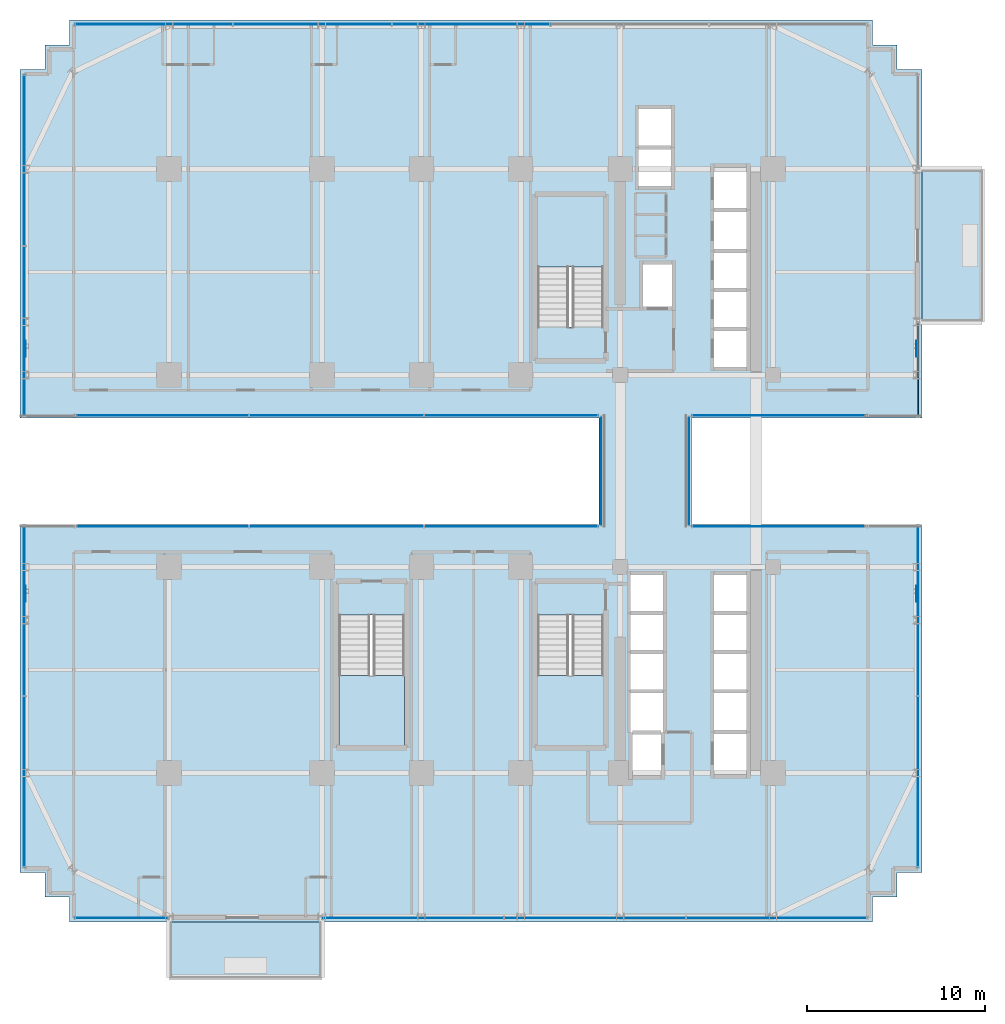
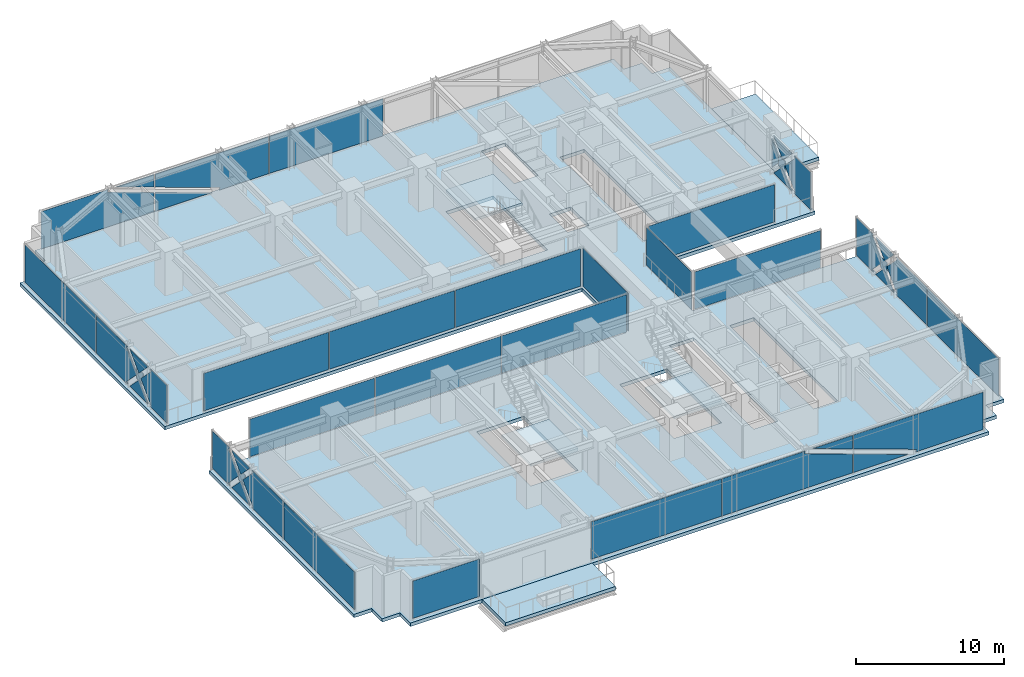
# One storey, part 28 of 35: 28 plates, 6 slabs, 16 elements without a shape of their own.
"""IFC4 building model written with IfcOpenShell, lengths in metres."""

import ifcopenshell
import ifcopenshell.guid

model = None  # the IFC model being written
_history = None  # IfcOwnerHistory: only IFC2X3 demands one
_inside = {}  # id of a spatial element -> (the spatial element, [elements in it])
_under = {}  # id of a project, library or spatial element -> (it, [spatial elements below it])
_declared = {}  # id of a project -> (the project, [libraries it declares])
_typed = {}  # id of a type object -> (the type object, [elements of that type])
_made_of = {}  # id of a material, layer set ... -> (it, [elements and type objects made of it])


def new_model(schema):
    """Start an empty IFC model of exactly this schema.

    Asked for "IFC4X3", IfcOpenShell would pick the latest addendum, in which some entities
    have other attributes; the version numbers below select the first issue.
    IFC2X3 requires an IfcOwnerHistory on every rooted entity: one is made here for all.
    """
    global model, _history
    if schema == "IFC4X3":
        model = ifcopenshell.file(schema_version=(4, 3, 0, 0))
    else:
        model = ifcopenshell.file(schema=schema)
    _inside.clear()
    _under.clear()
    _declared.clear()
    _typed.clear()
    _made_of.clear()
    _history = None
    if model.schema == "IFC2X3":
        org = make("IfcOrganization", Name="unknown")
        user = make(
            "IfcPersonAndOrganization",
            ThePerson=make("IfcPerson", FamilyName="unknown"),
            TheOrganization=org,
        )
        app = make(
            "IfcApplication",
            ApplicationDeveloper=org,
            Version="unknown",
            ApplicationFullName="unknown",
            ApplicationIdentifier="unknown",
        )
        _history = make(
            "IfcOwnerHistory",
            OwningUser=user,
            OwningApplication=app,
            ChangeAction="ADDED",
            CreationDate=0,
        )
    return model


def make(cls, **values):
    """One entity of the class cls with the attributes given. An attribute that is None is left unset."""
    return model.create_entity(
        cls, **{name: value for name, value in values.items() if value is not None}
    )


def rooted(cls, **values):
    """An entity with a GlobalId (a new one), such as an element, a storey or a relation."""
    return make(cls, GlobalId=ifcopenshell.guid.new(), OwnerHistory=_history, **values)


def si_unit(unit_type, name, prefix=None):
    """IfcSIUnit, for example si_unit("LENGTHUNIT", "METRE", prefix="MILLI")."""
    return make("IfcSIUnit", UnitType=unit_type, Prefix=prefix, Name=name)


def assignment(units):
    """IfcUnitAssignment: the units of a project."""
    return None if units is None else make("IfcUnitAssignment", Units=units)


def point(xyz):
    """IfcCartesianPoint."""
    return None if xyz is None else make("IfcCartesianPoint", Coordinates=xyz)


def direction(xyz):
    """IfcDirection."""
    return None if xyz is None else make("IfcDirection", DirectionRatios=xyz)


def frame(location, z_axis=None, x_axis=None):
    """IfcAxis2Placement3D, a coordinate frame: its origin and axes. An axis left out is left unset."""
    return make(
        "IfcAxis2Placement3D",
        Location=point(location),
        Axis=direction(z_axis),
        RefDirection=direction(x_axis),
    )


def frame_2d(location, x_axis=None):
    """IfcAxis2Placement2D, a coordinate frame in the plane: its origin and x axis."""
    return make(
        "IfcAxis2Placement2D", Location=point(location), RefDirection=direction(x_axis)
    )


def origin():
    """The frame at (0, 0, 0) with its axes left unset."""
    return frame((0.0, 0.0, 0.0))


def origin_2d():
    """The frame at (0, 0) in the plane with its x axis left unset."""
    return frame_2d((0.0, 0.0))


def place(relative_to, where):
    """IfcLocalPlacement: puts the frame where relative to a parent placement (None: the world)."""
    return make(
        "IfcLocalPlacement", PlacementRelTo=relative_to, RelativePlacement=where
    )


def context(
    kind, dimensions, precision=None, world=None, true_north=None, identifier=None
):
    """IfcGeometricRepresentationContext, for example the 3D "Model" context."""
    return make(
        "IfcGeometricRepresentationContext",
        ContextIdentifier=identifier,
        ContextType=kind,
        CoordinateSpaceDimension=dimensions,
        Precision=precision,
        WorldCoordinateSystem=world,
        TrueNorth=true_north,
    )


def subcontext(parent, identifier, kind, view, scale=None):
    """IfcGeometricRepresentationSubContext, for example "Body" below "Model"."""
    return make(
        "IfcGeometricRepresentationSubContext",
        ContextIdentifier=identifier,
        ContextType=kind,
        ParentContext=parent,
        TargetScale=scale,
        TargetView=view,
    )


def project(units=None, contexts=None):
    """IfcProject with its units and contexts."""
    return rooted(
        "IfcProject",
        Name="project",
        RepresentationContexts=contexts,
        UnitsInContext=assignment(units),
    )


def spatial(cls, under=None, at=None, **own):
    """A site, building, storey or space (cls), placed at a placement, below another one or the project."""
    s = rooted(cls, ObjectPlacement=at, **own)
    if under is not None:
        _under.setdefault(under.id(), (under, []))[1].append(s)
    return s


def polyline(points):
    """IfcPolyline through the points."""
    return make("IfcPolyline", Points=[point(p) for p in points])


def profile(cls, at=None, kind="AREA", **sizes):
    """A parametric profile (cls). Its sizes go by their IFC names, for example OverallWidth=200.0."""
    return make(cls, ProfileType=kind, Position=at, **sizes)


def rectangle(**sizes):
    """IfcRectangleProfileDef."""
    return profile("IfcRectangleProfileDef", **sizes)


def outline(outer, holes=None, kind="AREA"):
    """IfcArbitraryClosedProfileDef: a profile drawn as a closed curve; with holes, ...WithVoids."""
    if holes is None:
        return make("IfcArbitraryClosedProfileDef", ProfileType=kind, OuterCurve=outer)
    return make(
        "IfcArbitraryProfileDefWithVoids",
        ProfileType=kind,
        OuterCurve=outer,
        InnerCurves=holes,
    )


def extrude(swept, where, along, depth):
    """IfcExtrudedAreaSolid: the profile swept, set in the frame where, extruded along a direction by depth."""
    return make(
        "IfcExtrudedAreaSolid",
        SweptArea=swept,
        Position=where,
        ExtrudedDirection=direction(along),
        Depth=depth,
    )


def shape(context_of_items, identifier, shape_type, items):
    """IfcShapeRepresentation: the items that make up one representation, for example the "Body"."""
    return make(
        "IfcShapeRepresentation",
        ContextOfItems=context_of_items,
        RepresentationIdentifier=identifier,
        RepresentationType=shape_type,
        Items=items,
    )


def source(mapping_origin, context_of_items, identifier, shape_type, items):
    """IfcRepresentationMap: a shape defined once, which mapped items show again and again."""
    return make(
        "IfcRepresentationMap",
        MappingOrigin=mapping_origin,
        MappedRepresentation=shape(context_of_items, identifier, shape_type, items),
    )


def transform(
    local_origin,
    x_axis=None,
    y_axis=None,
    z_axis=None,
    scale=None,
    scale2=None,
    scale3=None,
    uniform=True,
):
    """IfcCartesianTransformationOperator3D, or its non-uniform kind. x_axis, y_axis, z_axis: its Axis1, 2, 3."""
    if uniform:
        return make(
            "IfcCartesianTransformationOperator3D",
            Axis1=direction(x_axis),
            Axis2=direction(y_axis),
            LocalOrigin=point(local_origin),
            Scale=scale,
            Axis3=direction(z_axis),
        )
    return make(
        "IfcCartesianTransformationOperator3DnonUniform",
        Axis1=direction(x_axis),
        Axis2=direction(y_axis),
        LocalOrigin=point(local_origin),
        Scale=scale,
        Axis3=direction(z_axis),
        Scale2=scale2,
        Scale3=scale3,
    )


def mapped(mapping_source, mapping_target):
    """IfcMappedItem: shows the shape of a source again, moved by a transform."""
    return make(
        "IfcMappedItem", MappingSource=mapping_source, MappingTarget=mapping_target
    )


def material(Name=None, Category=None):
    """IfcMaterial."""
    return make("IfcMaterial", Name=Name, Category=Category)


def layer(
    of_material, thickness, ventilated=None, Name=None, Category=None, Priority=None
):
    """IfcMaterialLayer: one layer of a wall or slab, of a material (None: an air gap)."""
    return make(
        "IfcMaterialLayer",
        Material=of_material,
        LayerThickness=thickness,
        IsVentilated=ventilated,
        Name=Name,
        Category=Category,
        Priority=Priority,
    )


def layer_set(layers, Name=None):
    """IfcMaterialLayerSet."""
    return make("IfcMaterialLayerSet", MaterialLayers=layers, LayerSetName=Name)


def made_of(thing, what):
    """Note that an element or type object is made of a material, layer set ...; save() writes the relation."""
    if what is not None:
        _made_of.setdefault(what.id(), (what, []))[1].append(thing)
    return thing


def type_object(cls, material=None, **own):
    """A type object (cls), such as IfcWallType, which elements share."""
    return made_of(rooted(cls, **own), material)


def element(
    cls,
    number,
    at=None,
    inside=None,
    cuts=None,
    type_object=None,
    material=None,
    context=None,
    identifier="Body",
    shape_type=None,
    held_by="IfcProductDefinitionShape",
    body=None,
    shapes=None,
    **own,
):
    """One element of the class cls, such as IfcWall. Its Tag is "e" and its number.

    at: its placement. inside: the storey or other place that contains it. cuts: it is an
    opening in that element (IfcRelVoidsElement). A single representation is given by context,
    identifier, shape_type and body (its items); several are given by shapes. held_by: the class
    of the entity that holds the representations. save() writes the other relations.
    """
    e = rooted(cls, Tag="e%d" % number, ObjectPlacement=at, **own)
    if body is not None:
        shapes = [shape(context, identifier, shape_type, body)]
    if shapes is not None:
        e.Representation = make(held_by, Representations=shapes)
    if inside is not None:
        _inside.setdefault(inside.id(), (inside, []))[1].append(e)
    if cuts is not None:
        rooted(
            "IfcRelVoidsElement", RelatingBuildingElement=cuts, RelatedOpeningElement=e
        )
    if type_object is not None:
        _typed.setdefault(type_object.id(), (type_object, []))[1].append(e)
    return made_of(e, material)


def aggregate(whole, parts):
    """IfcRelAggregates: a whole, such as a stair, and the parts it consists of."""
    return rooted("IfcRelAggregates", RelatingObject=whole, RelatedObjects=parts)


def save(model, path):
    """Write the relations noted so far, then the file.

    IfcRelAggregates (storeys below a building ...), IfcRelContainedInSpatialStructure (elements
    in a storey), IfcRelDefinesByType, IfcRelAssociatesMaterial and IfcRelDeclares: one each for
    every whole, place, type object, material and project.
    """
    for whole, parts in _under.values():
        aggregate(whole, parts)
    for where, things in _inside.values():
        rooted(
            "IfcRelContainedInSpatialStructure",
            RelatedElements=things,
            RelatingStructure=where,
        )
    for kind, things in _typed.values():
        rooted("IfcRelDefinesByType", RelatedObjects=things, RelatingType=kind)
    for what, things in _made_of.values():
        rooted("IfcRelAssociatesMaterial", RelatedObjects=things, RelatingMaterial=what)
    for by, libraries in _declared.values():
        rooted("IfcRelDeclares", RelatingContext=by, RelatedDefinitions=libraries)
    model.write(path)


model = new_model("IFC4")

# Units and contexts
model_context = context("Model", 3, precision=1e-05, world=origin(), true_north=direction((0.0, 1.0)))
body_context = subcontext(model_context, "Body", "Model", "MODEL_VIEW")
ifc_project = project(units=[si_unit("LENGTHUNIT", "METRE"), si_unit("AREAUNIT", "SQUARE_METRE"), si_unit("VOLUMEUNIT", "CUBIC_METRE"), si_unit("PLANEANGLEUNIT", "RADIAN"), si_unit("MASSUNIT", "GRAM", prefix="KILO")], contexts=[model_context])

# Site, building, storey
site_placement = place(None, origin())
site = spatial("IfcSite", under=ifc_project, at=site_placement, CompositionType="ELEMENT")
building_placement = place(site_placement, origin())
building = spatial("IfcBuilding", under=site, at=building_placement, Name="Nahalor Promenade Grand Hotel", CompositionType="ELEMENT")
storey_placement = place(building_placement, frame((0.0, 0.0, 43.35009765625)))
storey = spatial("IfcBuildingStorey", under=building, at=storey_placement, Name="L09", CompositionType="ELEMENT", Elevation=43.35009765625)

# Curtain wall, plates
ifc_material_1 = material(Name="Anodised Bronze Aluminium EN AW-6063 T6", Category="aluminium")
curtain_wall_type_1 = type_object("IfcCurtainWallType", Name="CW3 Elliptical-Void Collar Unitised Curtain Wall", PredefinedType="USERDEFINED", material=ifc_material_1)
curtain_wall_1_placement = place(storey_placement, origin())
curtain_wall_1 = element("IfcCurtainWall", 1, at=curtain_wall_1_placement, inside=storey, type_object=curtain_wall_type_1, Name="L09 Curtain Wall CW-L09-S-3", ObjectType="UNITISED_CURTAIN_WALL", PredefinedType="USERDEFINED")
ifc_material_2 = material(Name="Low-E Laminated Solar Glass", Category="glass")
ifc_layer_1 = layer(ifc_material_2, 0.030029296875)
ifc_layer_set_1 = layer_set([ifc_layer_1], Name="Low-E Laminated Solar Glass")
plate_type_1 = type_object("IfcPlateType", Name="CWP3 High-Wind Laminated Bronze IGU 30mm", PredefinedType="CURTAIN_PANEL", material=ifc_layer_set_1)
plate_1_placement = place(storey_placement, frame((6.97998046875, -25.159912109375, 0.1396484375), z_axis=(0.0, 0.0, 1.0), x_axis=(1.0, 0.0, 0.0)))
plate_1 = element("IfcPlate", 2, at=plate_1_placement, type_object=plate_type_1, Name="CW-L09-S-3 Glazing Panel 1-0", PredefinedType="CURTAIN_PANEL", context=body_context, shape_type="SweptSolid", body=[
    extrude(outline(polyline([(-5.091552734375, 0.0), (5.091552734375, 0.0), (5.091552734375, 1.556884765625), (1.3291015625, 2.900146484375), (1.39697265625, 3.090087890625), (-5.091552734375, 3.090087890625), (-5.091552734375, 0.0)])), frame((0.0, 0.01513671875, 0.0), z_axis=(0.0, -1.0, 0.0), x_axis=(1.0, 0.0, 0.0)), (0.0, 0.0, 1.0), 0.030029296875),
    extrude(outline(polyline([(5.091552734375, 1.981689453125), (5.091552734375, 3.090087890625), (1.98681640625, 3.090087890625), (5.091552734375, 1.981689453125)])), frame((0.0, 0.01513671875, 0.0), z_axis=(0.0, -1.0, 0.0), x_axis=(1.0, 0.0, 0.0)), (0.0, 0.0, 1.0), 0.030029296875),
])
plate_2_placement = place(storey_placement, frame((17.2158203125, -25.159912109375, 0.1396484375), z_axis=(0.0, 0.0, 1.0), x_axis=(1.0, 0.0, 0.0)))
plate_2 = element("IfcPlate", 3, at=plate_2_placement, type_object=plate_type_1, Name="CW-L09-S-3 Glazing Panel 2-0", PredefinedType="CURTAIN_PANEL", context=body_context, shape_type="SweptSolid", body=[
    extrude(outline(polyline([(5.07421875, 3.090087890625), (-5.07421875, 3.090087890625), (-5.07421875, 1.956787109375), (-0.125, 0.18994140625), (-0.19287109375, 0.0), (5.07421875, 0.0), (5.07421875, 3.090087890625)])), frame((0.0, 0.01513671875, 0.0), z_axis=(0.0, -1.0, 0.0), x_axis=(1.0, 0.0, 0.0)), (0.0, 0.0, 1.0), 0.030029296875),
    extrude(outline(polyline([(-5.07421875, 1.531982421875), (-5.07421875, 0.0), (-0.78271484375, 0.0), (-5.07421875, 1.531982421875)])), frame((0.0, 0.01513671875, 0.0), z_axis=(0.0, -1.0, 0.0), x_axis=(1.0, 0.0, 0.0)), (0.0, 0.0, 1.0), 0.030029296875),
])

curtain_wall_2_placement = place(storey_placement, origin())
curtain_wall_2 = element("IfcCurtainWall", 4, at=curtain_wall_2_placement, inside=storey, type_object=curtain_wall_type_1, Name="L09 Curtain Wall CW-L09-N-1", ObjectType="UNITISED_CURTAIN_WALL", PredefinedType="USERDEFINED")
plate_3_placement = place(storey_placement, frame((-17.87060546875, 25.159912109375, 0.1396484375), z_axis=(0.0, 0.0, 1.0), x_axis=(1.0, 0.0, 0.0)))
plate_3 = element("IfcPlate", 5, at=plate_3_placement, type_object=plate_type_1, Name="CW-L09-N-1 Glazing Panel 0-0", PredefinedType="CURTAIN_PANEL", context=body_context, shape_type="SweptSolid", body=[
    extrude(outline(polyline([(-4.41943359375, 0.0), (4.41943359375, 0.0), (4.41943359375, 1.600830078125), (0.77978515625, 2.900146484375), (0.847412109375, 3.090087890625), (-4.41943359375, 3.090087890625), (-4.41943359375, 0.0)])), frame((0.0, 0.01513671875, 0.0), z_axis=(0.0, -1.0, 0.0), x_axis=(1.0, 0.0, 0.0)), (0.0, 0.0, 1.0), 0.030029296875),
    extrude(outline(polyline([(4.41943359375, 2.025390625), (4.41943359375, 3.090087890625), (1.437255859375, 3.090087890625), (4.41943359375, 2.025390625)])), frame((0.0, 0.01513671875, 0.0), z_axis=(0.0, -1.0, 0.0), x_axis=(1.0, 0.0, 0.0)), (0.0, 0.0, 1.0), 0.030029296875),
])
plate_4_placement = place(storey_placement, frame((-8.944091796875, 25.159912109375, 0.1396484375), z_axis=(0.0, 0.0, 1.0), x_axis=(1.0, 0.0, 0.0)))
plate_4 = element("IfcPlate", 6, at=plate_4_placement, type_object=plate_type_1, Name="CW-L09-N-1 Glazing Panel 1-0", PredefinedType="CURTAIN_PANEL", context=body_context, shape_type="SweptSolid", body=[
    extrude(outline(polyline([(4.43701171875, 3.090087890625), (-4.43701171875, 3.090087890625), (-4.43701171875, 2.00048828125), (0.634765625, 0.18994140625), (0.56689453125, 0.0), (4.43701171875, 0.0), (4.43701171875, 3.090087890625)])), frame((0.0, 0.01513671875, 0.0), z_axis=(0.0, -1.0, 0.0), x_axis=(1.0, 0.0, 0.0)), (0.0, 0.0, 1.0), 0.030029296875),
    extrude(outline(polyline([(-4.43701171875, 1.57568359375), (-4.43701171875, 0.0), (-0.02294921875, 0.0), (-4.43701171875, 1.57568359375)])), frame((0.0, 0.01513671875, 0.0), z_axis=(0.0, -1.0, 0.0), x_axis=(1.0, 0.0, 0.0)), (0.0, 0.0, 1.0), 0.030029296875),
])

# Curtain wall, plate
curtain_wall_3_placement = place(storey_placement, origin())
curtain_wall_3 = element("IfcCurtainWall", 7, at=curtain_wall_3_placement, inside=storey, type_object=curtain_wall_type_1, Name="L09 Curtain Wall CW-L09-W-1", ObjectType="UNITISED_CURTAIN_WALL", PredefinedType="USERDEFINED")
plate_5_placement = place(storey_placement, frame((-25.159912109375, -7.856689453125, 0.1396484375), z_axis=(0.0, 0.0, 1.0), x_axis=(0.0, 1.0, 0.0)))
plate_5 = element("IfcPlate", 8, at=plate_5_placement, type_object=plate_type_1, Name="CW-L09-W-1 Glazing Panel 1-0", PredefinedType="CURTAIN_PANEL", context=body_context, shape_type="SweptSolid", body=[
    extrude(outline(polyline([(-4.787841796875, 3.090087890625), (-4.787841796875, 0.0), (-0.56884765625, 0.0), (-0.703857421875, 0.1318359375), (0.67724609375, 1.544921875), (-0.703857421875, 2.9580078125), (-0.56884765625, 3.090087890625), (-4.787841796875, 3.090087890625)])), frame((0.0, 0.01513671875, 0.0), z_axis=(0.0, -1.0, 0.0), x_axis=(1.0, 0.0, 0.0)), (0.0, 0.0, 1.0), 0.030029296875),
    extrude(outline(polyline([(0.956787109375, 1.2587890625), (-0.2734375, 0.0), (2.186767578125, 0.0), (0.956787109375, 1.2587890625)])), frame((0.0, 0.01513671875, 0.0), z_axis=(0.0, -1.0, 0.0), x_axis=(1.0, 0.0, 0.0)), (0.0, 0.0, 1.0), 0.030029296875),
    extrude(outline(polyline([(0.956787109375, 1.831298828125), (2.186767578125, 3.090087890625), (-0.2734375, 3.090087890625), (0.956787109375, 1.831298828125)])), frame((0.0, 0.01513671875, 0.0), z_axis=(0.0, -1.0, 0.0), x_axis=(1.0, 0.0, 0.0)), (0.0, 0.0, 1.0), 0.030029296875),
    extrude(outline(polyline([(4.787841796875, 0.0), (4.787841796875, 3.090087890625), (2.482177734375, 3.090087890625), (2.6171875, 2.9580078125), (1.236328125, 1.544921875), (2.6171875, 0.1318359375), (2.482177734375, 0.0), (4.787841796875, 0.0)])), frame((0.0, 0.01513671875, 0.0), z_axis=(0.0, -1.0, 0.0), x_axis=(1.0, 0.0, 0.0)), (0.0, 0.0, 1.0), 0.030029296875),
])

curtain_wall_4_placement = place(storey_placement, origin())
curtain_wall_4 = element("IfcCurtainWall", 9, at=curtain_wall_4_placement, inside=storey, type_object=curtain_wall_type_1, Name="L09 Curtain Wall CW-L09-W-2", ObjectType="UNITISED_CURTAIN_WALL", PredefinedType="USERDEFINED")
plate_6_placement = place(storey_placement, frame((-25.159912109375, 7.856689453125, 0.1396484375), z_axis=(0.0, 0.0, 1.0), x_axis=(0.0, 1.0, 0.0)))
plate_6 = element("IfcPlate", 10, at=plate_6_placement, type_object=plate_type_1, Name="CW-L09-W-2 Glazing Panel 0-0", PredefinedType="CURTAIN_PANEL", context=body_context, shape_type="SweptSolid", body=[
    extrude(outline(polyline([(-4.787841796875, 3.090087890625), (-4.787841796875, 0.0), (-2.482177734375, 0.0), (-2.6171875, 0.1318359375), (-1.236328125, 1.544921875), (-2.6171875, 2.9580078125), (-2.482177734375, 3.090087890625), (-4.787841796875, 3.090087890625)])), frame((0.0, 0.01513671875, 0.0), z_axis=(0.0, -1.0, 0.0), x_axis=(1.0, 0.0, 0.0)), (0.0, 0.0, 1.0), 0.030029296875),
    extrude(outline(polyline([(-0.956787109375, 1.2587890625), (-2.186767578125, 0.0), (0.2734375, 0.0), (-0.956787109375, 1.2587890625)])), frame((0.0, 0.01513671875, 0.0), z_axis=(0.0, -1.0, 0.0), x_axis=(1.0, 0.0, 0.0)), (0.0, 0.0, 1.0), 0.030029296875),
    extrude(outline(polyline([(-0.956787109375, 1.831298828125), (0.2734375, 3.090087890625), (-2.186767578125, 3.090087890625), (-0.956787109375, 1.831298828125)])), frame((0.0, 0.01513671875, 0.0), z_axis=(0.0, -1.0, 0.0), x_axis=(1.0, 0.0, 0.0)), (0.0, 0.0, 1.0), 0.030029296875),
    extrude(outline(polyline([(4.787841796875, 0.0), (4.787841796875, 3.090087890625), (0.56884765625, 3.090087890625), (0.703857421875, 2.9580078125), (-0.67724609375, 1.544921875), (0.703857421875, 0.1318359375), (0.56884765625, 0.0), (4.787841796875, 0.0)])), frame((0.0, 0.01513671875, 0.0), z_axis=(0.0, -1.0, 0.0), x_axis=(1.0, 0.0, 0.0)), (0.0, 0.0, 1.0), 0.030029296875),
])

curtain_wall_5_placement = place(storey_placement, origin())
curtain_wall_5 = element("IfcCurtainWall", 11, at=curtain_wall_5_placement, inside=storey, type_object=curtain_wall_type_1, Name="L09 Curtain Wall CW-L09-E-1", ObjectType="UNITISED_CURTAIN_WALL", PredefinedType="USERDEFINED")
plate_7_placement = place(storey_placement, frame((25.159912109375, -7.856689453125, 0.1396484375), z_axis=(0.0, 0.0, 1.0), x_axis=(0.0, 1.0, 0.0)))
plate_7 = element("IfcPlate", 12, at=plate_7_placement, type_object=plate_type_1, Name="CW-L09-E-1 Glazing Panel 1-0", PredefinedType="CURTAIN_PANEL", context=body_context, shape_type="SweptSolid", body=[
    extrude(outline(polyline([(-4.787841796875, 3.090087890625), (-4.787841796875, 0.0), (-0.56884765625, 0.0), (-0.703857421875, 0.1318359375), (0.67724609375, 1.544921875), (-0.703857421875, 2.9580078125), (-0.56884765625, 3.090087890625), (-4.787841796875, 3.090087890625)])), frame((0.0, 0.01513671875, 0.0), z_axis=(0.0, -1.0, 0.0), x_axis=(1.0, 0.0, 0.0)), (0.0, 0.0, 1.0), 0.030029296875),
    extrude(outline(polyline([(0.956787109375, 1.2587890625), (-0.2734375, 0.0), (2.186767578125, 0.0), (0.956787109375, 1.2587890625)])), frame((0.0, 0.01513671875, 0.0), z_axis=(0.0, -1.0, 0.0), x_axis=(1.0, 0.0, 0.0)), (0.0, 0.0, 1.0), 0.030029296875),
    extrude(outline(polyline([(0.956787109375, 1.831298828125), (2.186767578125, 3.090087890625), (-0.2734375, 3.090087890625), (0.956787109375, 1.831298828125)])), frame((0.0, 0.01513671875, 0.0), z_axis=(0.0, -1.0, 0.0), x_axis=(1.0, 0.0, 0.0)), (0.0, 0.0, 1.0), 0.030029296875),
    extrude(outline(polyline([(4.787841796875, 0.0), (4.787841796875, 3.090087890625), (2.482177734375, 3.090087890625), (2.6171875, 2.9580078125), (1.236328125, 1.544921875), (2.6171875, 0.1318359375), (2.482177734375, 0.0), (4.787841796875, 0.0)])), frame((0.0, 0.01513671875, 0.0), z_axis=(0.0, -1.0, 0.0), x_axis=(1.0, 0.0, 0.0)), (0.0, 0.0, 1.0), 0.030029296875),
])

curtain_wall_6_placement = place(storey_placement, origin())
curtain_wall_6 = element("IfcCurtainWall", 13, at=curtain_wall_6_placement, inside=storey, type_object=curtain_wall_type_1, Name="L09 Curtain Wall CW-L09-E-2", ObjectType="UNITISED_CURTAIN_WALL", PredefinedType="USERDEFINED")
plate_8_placement = place(storey_placement, frame((25.159912109375, 5.699462890625, 0.1396484375), z_axis=(0.0, 0.0, 1.0), x_axis=(0.0, 1.0, 0.0)))
plate_8 = element("IfcPlate", 14, at=plate_8_placement, type_object=plate_type_1, Name="CW-L09-E-2 Glazing Panel 0-0", PredefinedType="CURTAIN_PANEL", context=body_context, shape_type="SweptSolid", body=[
    extrude(outline(polyline([(-2.630615234375, 3.090087890625), (-2.630615234375, 0.0), (-0.324951171875, 0.0), (-0.4599609375, 0.1318359375), (0.9208984375, 1.544921875), (-0.4599609375, 2.9580078125), (-0.324951171875, 3.090087890625), (-2.630615234375, 3.090087890625)])), frame((0.0, 0.01513671875, 0.0), z_axis=(0.0, -1.0, 0.0), x_axis=(1.0, 0.0, 0.0)), (0.0, 0.0, 1.0), 0.030029296875),
    extrude(outline(polyline([(1.200439453125, 1.2587890625), (-0.029541015625, 0.0), (2.4306640625, 0.0), (1.200439453125, 1.2587890625)])), frame((0.0, 0.01513671875, 0.0), z_axis=(0.0, -1.0, 0.0), x_axis=(1.0, 0.0, 0.0)), (0.0, 0.0, 1.0), 0.030029296875),
    extrude(outline(polyline([(1.200439453125, 1.831298828125), (2.4306640625, 3.090087890625), (-0.029541015625, 3.090087890625), (1.200439453125, 1.831298828125)])), frame((0.0, 0.01513671875, 0.0), z_axis=(0.0, -1.0, 0.0), x_axis=(1.0, 0.0, 0.0)), (0.0, 0.0, 1.0), 0.030029296875),
    extrude(outline(polyline([(1.480224609375, 1.544921875), (2.630615234375, 0.36767578125), (2.630615234375, 2.72216796875), (1.480224609375, 1.544921875)])), frame((0.0, 0.01513671875, 0.0), z_axis=(0.0, -1.0, 0.0), x_axis=(1.0, 0.0, 0.0)), (0.0, 0.0, 1.0), 0.030029296875),
])
aggregate(curtain_wall_6, [plate_8])

# Stair, slab
ifc_material_3 = material(Name="Concrete B-50 (C40/50)", Category="concrete")
stair_type_1 = type_object("IfcStairType", Name="Stair-ST1", PredefinedType="HALF_TURN_STAIR", material=ifc_material_3)
stair_1_placement = place(storey_placement, origin())
stair_1 = element("IfcStair", 15, at=stair_1_placement, inside=storey, type_object=stair_type_1, Name="L09 ST1", PredefinedType="HALF_TURN_STAIR")
ifc_layer_2 = layer(ifc_material_3, 0.199951171875)
ifc_layer_set_2 = layer_set([ifc_layer_2], Name="Concrete B-50 (C40/50)")
slab_type_1 = type_object("IfcSlabType", Name="Landing-ST1", PredefinedType="LANDING", material=ifc_layer_set_2)
slab_1_placement = place(storey_placement, frame((0.0, 0.0, 1.625)))
slab_1 = element("IfcSlab", 16, at=slab_1_placement, type_object=slab_type_1, Name="ST1 landing 1", PredefinedType="LANDING", context=body_context, shape_type="SweptSolid", body=[
    extrude(outline(polyline([(7.449951171875, 11.5), (7.449951171875, 15.449951171875), (3.75, 15.449951171875), (3.75, 11.5), (7.449951171875, 11.5)])), origin(), (0.0, 0.0, 1.0), 0.199951171875),
])
aggregate(stair_1, [slab_1])

stair_type_2 = type_object("IfcStairType", Name="Stair-ST2", PredefinedType="HALF_TURN_STAIR", material=ifc_material_3)
stair_2_placement = place(storey_placement, origin())
stair_2 = element("IfcStair", 17, at=stair_2_placement, inside=storey, type_object=stair_type_2, Name="L09 ST2", PredefinedType="HALF_TURN_STAIR")
ifc_layer_3 = layer(ifc_material_3, 0.2099609375)
ifc_layer_set_3 = layer_set([ifc_layer_3], Name="Concrete B-50 (C40/50)")
slab_type_2 = type_object("IfcSlabType", Name="Landing-ST2", PredefinedType="LANDING", material=ifc_layer_set_3)
slab_2_placement = place(storey_placement, frame((0.0, 0.0, 1.614990234375)))
slab_2 = element("IfcSlab", 18, at=slab_2_placement, type_object=slab_type_2, Name="ST2 landing 1", PredefinedType="LANDING", context=body_context, shape_type="SweptSolid", body=[
    extrude(outline(polyline([(3.75, -11.5), (3.75, -15.449951171875), (7.449951171875, -15.449951171875), (7.449951171875, -11.5), (3.75, -11.5)])), origin(), (0.0, 0.0, 1.0), 0.2099609375),
])
aggregate(stair_2, [slab_2])

stair_type_3 = type_object("IfcStairType", Name="Stair-ST3", PredefinedType="HALF_TURN_STAIR", material=ifc_material_3)
stair_3_placement = place(storey_placement, origin())
stair_3 = element("IfcStair", 19, at=stair_3_placement, inside=storey, type_object=stair_type_3, Name="L09 ST3", PredefinedType="HALF_TURN_STAIR")
ifc_layer_4 = layer(ifc_material_3, 0.219970703125)
ifc_layer_set_4 = layer_set([ifc_layer_4], Name="Concrete B-50 (C40/50)")
slab_type_3 = type_object("IfcSlabType", Name="Landing-ST3", PredefinedType="LANDING", material=ifc_layer_set_4)
slab_3_placement = place(storey_placement, frame((0.0, 0.0, 1.60498046875)))
slab_3 = element("IfcSlab", 20, at=slab_3_placement, type_object=slab_type_3, Name="ST3 landing 1", PredefinedType="LANDING", context=body_context, shape_type="SweptSolid", body=[
    extrude(outline(polyline([(-7.449951171875, -11.5), (-7.449951171875, -15.449951171875), (-3.75, -15.449951171875), (-3.75, -11.5), (-7.449951171875, -11.5)])), origin(), (0.0, 0.0, 1.0), 0.219970703125),
])
aggregate(stair_3, [slab_3])

# Slabs
ifc_layer_5 = layer(ifc_material_3, 0.280029296875)
ifc_layer_set_5 = layer_set([ifc_layer_5], Name="Concrete B-50 (C40/50)")
slab_type_4 = type_object("IfcSlabType", Name="Slab-Balcony-280", PredefinedType="FLOOR", material=ifc_layer_set_5)
slab_4_placement = place(storey_placement, frame((0.0, 0.0, -0.280029296875)))
element("IfcSlab", 21, at=slab_4_placement, inside=storey, type_object=slab_type_4, Name="L09 Cantilevered Planted Balcony 1", PredefinedType="FLOOR", context=body_context, shape_type="SweptSolid", body=[
    extrude(outline(polyline([(-17.0, -28.590087890625), (-8.39990234375, -28.590087890625), (-8.39990234375, -25.39990234375), (-17.0, -25.39990234375), (-17.0, -28.590087890625)])), origin(), (0.0, 0.0, 1.0), 0.280029296875),
])
slab_5_placement = place(storey_placement, frame((0.0, 0.0, -0.280029296875)))
element("IfcSlab", 22, at=slab_5_placement, inside=storey, type_object=slab_type_4, Name="L09 Cantilevered Planted Balcony 2", PredefinedType="FLOOR", context=body_context, shape_type="SweptSolid", body=[
    extrude(outline(polyline([(25.39990234375, 8.39990234375), (28.840087890625, 8.39990234375), (28.840087890625, 17.0), (25.39990234375, 17.0), (25.39990234375, 8.39990234375)])), origin(), (0.0, 0.0, 1.0), 0.280029296875),
])
ifc_layer_6 = layer(ifc_material_3, 0.280029296875)
ifc_layer_set_6 = layer_set([ifc_layer_6], Name="Concrete B-50 (C40/50)")
slab_type_5 = type_object("IfcSlabType", Name="Slab-TowerZ1-280", PredefinedType="FLOOR", material=ifc_layer_set_6)
slab_6_placement = place(storey_placement, frame((0.0, 0.0, -0.280029296875)))
element("IfcSlab", 23, at=slab_6_placement, inside=storey, type_object=slab_type_5, Name="L09 Suspended Structural Floor Slab", PredefinedType="FLOOR", context=body_context, shape_type="SweptSolid", body=[
    extrude(outline(polyline([(-22.60009765625, -25.39990234375), (22.60009765625, -25.39990234375), (22.60009765625, -24.0), (24.0, -24.0), (24.0, -22.60009765625), (25.39990234375, -22.60009765625), (25.39990234375, -2.9990234375), (12.39990234375, -2.9990234375), (12.39990234375, 2.9990234375), (25.39990234375, 2.9990234375), (25.39990234375, 22.60009765625), (24.0, 22.60009765625), (24.0, 24.0), (22.60009765625, 24.0), (22.60009765625, 25.39990234375), (-22.60009765625, 25.39990234375), (-22.60009765625, 24.0), (-24.0, 24.0), (-24.0, 22.60009765625), (-25.39990234375, 22.60009765625), (-25.39990234375, 2.9990234375), (7.199951171875, 2.9990234375), (7.199951171875, -2.9990234375), (-25.39990234375, -2.9990234375), (-25.39990234375, -22.60009765625), (-24.0, -22.60009765625), (-24.0, -24.0), (-22.60009765625, -24.0), (-22.60009765625, -25.39990234375)]), holes=[polyline([(3.75, 8.10009765625), (7.449951171875, 8.10009765625), (7.449951171875, 15.449951171875), (3.75, 15.449951171875), (3.75, 8.10009765625)]), polyline([(3.75, -15.449951171875), (7.449951171875, -15.449951171875), (7.449951171875, -8.10009765625), (3.75, -8.10009765625), (3.75, -15.449951171875)]), polyline([(-7.449951171875, -15.449951171875), (-3.75, -15.449951171875), (-3.75, -8.10009765625), (-7.449951171875, -8.10009765625), (-7.449951171875, -15.449951171875)]), polyline([(13.659912109375, 5.81005859375), (15.5400390625, 5.81005859375), (15.5400390625, 17.139892578125), (13.659912109375, 17.139892578125), (13.659912109375, 5.81005859375)]), polyline([(13.659912109375, -17.139892578125), (15.5400390625, -17.139892578125), (15.5400390625, -5.81005859375), (13.659912109375, -5.81005859375), (13.659912109375, -17.139892578125)]), polyline([(8.9599609375, -17.18994140625), (10.840087890625, -17.18994140625), (10.840087890625, -5.81005859375), (8.9599609375, -5.81005859375), (8.9599609375, -17.18994140625)]), polyline([(9.409912109375, 16.010009765625), (11.2900390625, 16.010009765625), (11.2900390625, 20.43994140625), (9.409912109375, 20.43994140625), (9.409912109375, 16.010009765625)]), polyline([(9.659912109375, 9.2099609375), (11.340087890625, 9.2099609375), (11.340087890625, 11.68994140625), (9.659912109375, 11.68994140625), (9.659912109375, 9.2099609375)])]), origin(), (0.0, 0.0, 1.0), 0.280029296875),
])

# Plates
ifc_material_4 = material(Name="Steel S355J2", Category="steel")
ifc_layer_7 = layer(ifc_material_4, 0.035888671875)
ifc_layer_set_7 = layer_set([ifc_layer_7], Name="Steel S355J2")
plate_type_2 = type_object("IfcPlateType", Name="Plate-CrossGusset-36", PredefinedType="USERDEFINED", material=ifc_layer_set_7)
shared_shape_1 = source(origin(), body_context, "Body", "SweptSolid", [
    extrude(rectangle(XDim=0.89990234375, YDim=0.035888671875, at=origin_2d()), origin(), (0.0, 0.0, 1.0), 0.89990234375),
])
for number, where, z_axis, x_axis, name in (
    (24, (-25.080078125, -6.89990234375, 1.23486328125), (0.0, 0.0, 1.0), (0.0, 1.0, 0.0), "PL-L09-VXX-W0"),
    (25, (-25.080078125, 6.89990234375, 1.23486328125), (0.0, 0.0, 1.0), (0.0, 1.0, 0.0), "PL-L09-VXX-W1"),
    (26, (25.080078125, -6.89990234375, 1.23486328125), (0.0, 0.0, 1.0), (0.0, 1.0, 0.0), "PL-L09-VXX-E0"),
    (27, (25.080078125, 6.89990234375, 1.23486328125), (0.0, 0.0, 1.0), (0.0, 1.0, 0.0), "PL-L09-VXX-E1"),
):
    element("IfcPlate", number, at=place(storey_placement, frame(where, z_axis=z_axis, x_axis=x_axis)), inside=storey, type_object=plate_type_2, Name=name, ObjectType="GUSSET_PLATE", PredefinedType="USERDEFINED", context=body_context, shape_type="MappedRepresentation", body=[
        mapped(shared_shape_1, transform((0.0, 0.0, 0.0), scale=1.0)),
    ])

# Curtain wall, plate
curtain_wall_7_placement = place(storey_placement, origin())
curtain_wall_7 = element("IfcCurtainWall", 28, at=curtain_wall_7_placement, inside=storey, type_object=curtain_wall_type_1, Name="L09 Curtain Wall CW-L09-S-1", ObjectType="UNITISED_CURTAIN_WALL", PredefinedType="USERDEFINED")
shared_shape_2 = source(origin(), body_context, "Body", "SweptSolid", [
    extrude(rectangle(XDim=5.219970703125, YDim=0.030029296875, at=origin_2d()), origin(), (0.0, 0.0, 1.0), 3.090087890625),
])
plate_9_placement = place(storey_placement, frame((-19.679931640625, -25.159912109375, 0.1396484375), z_axis=(0.0, 0.0, 1.0), x_axis=(1.0, 0.0, 0.0)))
plate_9 = element("IfcPlate", 29, at=plate_9_placement, type_object=plate_type_1, Name="CW-L09-S-1 Glazing Panel 0-0", PredefinedType="CURTAIN_PANEL", context=body_context, shape_type="MappedRepresentation", body=[
    mapped(shared_shape_2, transform((0.0, 0.0, 0.0), scale=1.0)),
])
aggregate(curtain_wall_7, [plate_9])

# Plate
shared_shape_3 = source(origin(), body_context, "Body", "SweptSolid", [
    extrude(rectangle(XDim=10.1484375, YDim=0.030029296875, at=origin_2d()), origin(), (0.0, 0.0, 1.0), 3.090087890625),
])
plate_10_placement = place(storey_placement, frame((-3.255859375, -25.159912109375, 0.1396484375), z_axis=(0.0, 0.0, 1.0), x_axis=(1.0, 0.0, 0.0)))
plate_10 = element("IfcPlate", 30, at=plate_10_placement, type_object=plate_type_1, Name="CW-L09-S-3 Glazing Panel 0-0", PredefinedType="CURTAIN_PANEL", context=body_context, shape_type="MappedRepresentation", body=[
    mapped(shared_shape_3, transform((0.0, 0.0, 0.0), scale=1.0)),
])

aggregate(curtain_wall_1, [plate_10, plate_1, plate_2])

shared_shape_4 = source(origin(), body_context, "Body", "SweptSolid", [
    extrude(rectangle(XDim=8.8740234375, YDim=0.030029296875, at=origin_2d()), origin(), (0.0, 0.0, 1.0), 3.090087890625),
])
plate_11_placement = place(storey_placement, frame((0.0, 25.159912109375, 0.1396484375), z_axis=(0.0, 0.0, 1.0), x_axis=(1.0, 0.0, 0.0)))
plate_11 = element("IfcPlate", 31, at=plate_11_placement, type_object=plate_type_1, Name="CW-L09-N-1 Glazing Panel 2-0", PredefinedType="CURTAIN_PANEL", context=body_context, shape_type="MappedRepresentation", body=[
    mapped(shared_shape_4, transform((0.0, 0.0, 0.0), scale=1.0)),
])

aggregate(curtain_wall_2, [plate_3, plate_4, plate_11])

shared_shape_5 = source(origin(), body_context, "Body", "SweptSolid", [
    extrude(rectangle(XDim=9.575439453125, YDim=0.030029296875, at=origin_2d()), origin(), (0.0, 0.0, 1.0), 3.090087890625),
])
plate_12_placement = place(storey_placement, frame((-25.159912109375, -17.502197265625, 0.1396484375), z_axis=(0.0, 0.0, 1.0), x_axis=(0.0, 1.0, 0.0)))
plate_12 = element("IfcPlate", 32, at=plate_12_placement, type_object=plate_type_1, Name="CW-L09-W-1 Glazing Panel 0-0", PredefinedType="CURTAIN_PANEL", context=body_context, shape_type="MappedRepresentation", body=[
    mapped(shared_shape_5, transform((0.0, 0.0, 0.0), scale=1.0)),
])

aggregate(curtain_wall_3, [plate_12, plate_5])

plate_13_placement = place(storey_placement, frame((-25.159912109375, 17.502197265625, 0.1396484375), z_axis=(0.0, 0.0, 1.0), x_axis=(0.0, 1.0, 0.0)))
plate_13 = element("IfcPlate", 33, at=plate_13_placement, type_object=plate_type_1, Name="CW-L09-W-2 Glazing Panel 1-0", PredefinedType="CURTAIN_PANEL", context=body_context, shape_type="MappedRepresentation", body=[
    mapped(shared_shape_5, transform((0.0, 0.0, 0.0), scale=1.0)),
])

aggregate(curtain_wall_4, [plate_6, plate_13])

plate_14_placement = place(storey_placement, frame((25.159912109375, -17.502197265625, 0.1396484375), z_axis=(0.0, 0.0, 1.0), x_axis=(0.0, 1.0, 0.0)))
plate_14 = element("IfcPlate", 34, at=plate_14_placement, type_object=plate_type_1, Name="CW-L09-E-1 Glazing Panel 0-0", PredefinedType="CURTAIN_PANEL", context=body_context, shape_type="MappedRepresentation", body=[
    mapped(shared_shape_5, transform((0.0, 0.0, 0.0), scale=1.0)),
])

aggregate(curtain_wall_5, [plate_14, plate_7])

# Curtain wall, plates
curtain_wall_8_placement = place(storey_placement, origin())
curtain_wall_8 = element("IfcCurtainWall", 35, at=curtain_wall_8_placement, inside=storey, type_object=curtain_wall_type_1, Name="L09 Curtain Wall CW-L09-VOID-WS1", ObjectType="UNITISED_CURTAIN_WALL", PredefinedType="USERDEFINED")
shared_shape_6 = source(origin(), body_context, "Body", "SweptSolid", [
    extrude(rectangle(XDim=9.748291015625, YDim=0.030029296875, at=origin_2d()), origin(), (0.0, 0.0, 1.0), 3.090087890625),
])
plate_15_placement = place(storey_placement, frame((-17.415771484375, -3.118896484375, 0.1396484375), z_axis=(0.0, 0.0, 1.0), x_axis=(1.0, 0.0, 0.0)))
plate_15 = element("IfcPlate", 36, at=plate_15_placement, type_object=plate_type_1, Name="CW-L09-VOID-WS1 Glazing Panel 0-0", PredefinedType="CURTAIN_PANEL", context=body_context, shape_type="MappedRepresentation", body=[
    mapped(shared_shape_6, transform((0.0, 0.0, 0.0), scale=1.0)),
])
plate_16_placement = place(storey_placement, frame((2.255859375, -3.118896484375, 0.1396484375), z_axis=(0.0, 0.0, 1.0), x_axis=(1.0, 0.0, 0.0)))
plate_16 = element("IfcPlate", 37, at=plate_16_placement, type_object=plate_type_1, Name="CW-L09-VOID-WS1 Glazing Panel 2-0", PredefinedType="CURTAIN_PANEL", context=body_context, shape_type="MappedRepresentation", body=[
    mapped(shared_shape_6, transform((0.0, 0.0, 0.0), scale=1.0)),
])

curtain_wall_9_placement = place(storey_placement, origin())
curtain_wall_9 = element("IfcCurtainWall", 38, at=curtain_wall_9_placement, inside=storey, type_object=curtain_wall_type_1, Name="L09 Curtain Wall CW-L09-VOID-WN1", ObjectType="UNITISED_CURTAIN_WALL", PredefinedType="USERDEFINED")
plate_17_placement = place(storey_placement, frame((-17.415771484375, 3.118896484375, 0.1396484375), z_axis=(0.0, 0.0, 1.0), x_axis=(1.0, 0.0, 0.0)))
plate_17 = element("IfcPlate", 39, at=plate_17_placement, type_object=plate_type_1, Name="CW-L09-VOID-WN1 Glazing Panel 0-0", PredefinedType="CURTAIN_PANEL", context=body_context, shape_type="MappedRepresentation", body=[
    mapped(shared_shape_6, transform((0.0, 0.0, 0.0), scale=1.0)),
])
plate_18_placement = place(storey_placement, frame((2.255859375, 3.118896484375, 0.1396484375), z_axis=(0.0, 0.0, 1.0), x_axis=(1.0, 0.0, 0.0)))
plate_18 = element("IfcPlate", 40, at=plate_18_placement, type_object=plate_type_1, Name="CW-L09-VOID-WN1 Glazing Panel 2-0", PredefinedType="CURTAIN_PANEL", context=body_context, shape_type="MappedRepresentation", body=[
    mapped(shared_shape_6, transform((0.0, 0.0, 0.0), scale=1.0)),
])

# Plate
shared_shape_7 = source(origin(), body_context, "Body", "SweptSolid", [
    extrude(rectangle(XDim=9.783447265625, YDim=0.030029296875, at=origin_2d()), origin(), (0.0, 0.0, 1.0), 3.090087890625),
])
plate_19_placement = place(storey_placement, frame((-7.580078125, -3.118896484375, 0.1396484375), z_axis=(0.0, 0.0, 1.0), x_axis=(1.0, 0.0, 0.0)))
plate_19 = element("IfcPlate", 41, at=plate_19_placement, type_object=plate_type_1, Name="CW-L09-VOID-WS1 Glazing Panel 1-0", PredefinedType="CURTAIN_PANEL", context=body_context, shape_type="MappedRepresentation", body=[
    mapped(shared_shape_7, transform((0.0, 0.0, 0.0), scale=1.0)),
])

aggregate(curtain_wall_8, [plate_15, plate_19, plate_16])

plate_20_placement = place(storey_placement, frame((-7.580078125, 3.118896484375, 0.1396484375), z_axis=(0.0, 0.0, 1.0), x_axis=(1.0, 0.0, 0.0)))
plate_20 = element("IfcPlate", 42, at=plate_20_placement, type_object=plate_type_1, Name="CW-L09-VOID-WN1 Glazing Panel 1-0", PredefinedType="CURTAIN_PANEL", context=body_context, shape_type="MappedRepresentation", body=[
    mapped(shared_shape_7, transform((0.0, 0.0, 0.0), scale=1.0)),
])

aggregate(curtain_wall_9, [plate_17, plate_20, plate_18])

# Curtain wall, plate
curtain_wall_10_placement = place(storey_placement, origin())
curtain_wall_10 = element("IfcCurtainWall", 43, at=curtain_wall_10_placement, inside=storey, type_object=curtain_wall_type_1, Name="L09 Curtain Wall CW-L09-VOID-ES1", ObjectType="UNITISED_CURTAIN_WALL", PredefinedType="USERDEFINED")
shared_shape_8 = source(origin(), body_context, "Body", "SweptSolid", [
    extrude(rectangle(XDim=9.820068359375, YDim=0.030029296875, at=origin_2d()), origin(), (0.0, 0.0, 1.0), 3.090087890625),
])
plate_21_placement = place(storey_placement, frame((17.3798828125, -3.118896484375, 0.1396484375), z_axis=(0.0, 0.0, 1.0), x_axis=(1.0, 0.0, 0.0)))
plate_21 = element("IfcPlate", 44, at=plate_21_placement, type_object=plate_type_1, Name="CW-L09-VOID-ES1 Glazing Panel 0-0", PredefinedType="CURTAIN_PANEL", context=body_context, shape_type="MappedRepresentation", body=[
    mapped(shared_shape_8, transform((0.0, 0.0, 0.0), scale=1.0)),
])
aggregate(curtain_wall_10, [plate_21])

curtain_wall_11_placement = place(storey_placement, origin())
curtain_wall_11 = element("IfcCurtainWall", 45, at=curtain_wall_11_placement, inside=storey, type_object=curtain_wall_type_1, Name="L09 Curtain Wall CW-L09-VOID-EN1", ObjectType="UNITISED_CURTAIN_WALL", PredefinedType="USERDEFINED")
plate_22_placement = place(storey_placement, frame((17.3798828125, 3.118896484375, 0.1396484375), z_axis=(0.0, 0.0, 1.0), x_axis=(1.0, 0.0, 0.0)))
plate_22 = element("IfcPlate", 46, at=plate_22_placement, type_object=plate_type_1, Name="CW-L09-VOID-EN1 Glazing Panel 0-0", PredefinedType="CURTAIN_PANEL", context=body_context, shape_type="MappedRepresentation", body=[
    mapped(shared_shape_8, transform((0.0, 0.0, 0.0), scale=1.0)),
])
aggregate(curtain_wall_11, [plate_22])

curtain_wall_type_2 = type_object("IfcCurtainWallType", Name="CW4 Low-Iron Sky-Gallery Bridge Curtain Wall", PredefinedType="USERDEFINED", material=ifc_material_1)
curtain_wall_12_placement = place(storey_placement, origin())
curtain_wall_12 = element("IfcCurtainWall", 47, at=curtain_wall_12_placement, inside=storey, type_object=curtain_wall_type_2, Name="L09 Curtain Wall CW-L09-BRG-W", ObjectType="UNITISED_CURTAIN_WALL", PredefinedType="USERDEFINED")
ifc_layer_8 = layer(ifc_material_2, 0.02587890625)
ifc_layer_set_8 = layer_set([ifc_layer_8], Name="Low-E Laminated Solar Glass")
plate_type_3 = type_object("IfcPlateType", Name="CWP4 Ultra-Clear Low-Iron Bridge IGU 26mm", PredefinedType="CURTAIN_PANEL", material=ifc_layer_set_8)
shared_shape_9 = source(origin(), body_context, "Body", "SweptSolid", [
    extrude(rectangle(XDim=6.117919921875, YDim=0.02587890625, at=origin_2d()), origin(), (0.0, 0.0, 1.0), 3.1298828125),
])
plate_23_placement = place(storey_placement, frame((7.320068359375, 0.0, 0.119873046875), z_axis=(0.0, 0.0, 1.0), x_axis=(0.0, 1.0, 0.0)))
plate_23 = element("IfcPlate", 48, at=plate_23_placement, type_object=plate_type_3, Name="CW-L09-BRG-W Glazing Panel 0-0", PredefinedType="CURTAIN_PANEL", context=body_context, shape_type="MappedRepresentation", body=[
    mapped(shared_shape_9, transform((0.0, 0.0, 0.0), scale=1.0)),
])
aggregate(curtain_wall_12, [plate_23])

curtain_wall_13_placement = place(storey_placement, origin())
curtain_wall_13 = element("IfcCurtainWall", 49, at=curtain_wall_13_placement, inside=storey, type_object=curtain_wall_type_2, Name="L09 Curtain Wall CW-L09-BRG-E", ObjectType="UNITISED_CURTAIN_WALL", PredefinedType="USERDEFINED")
plate_24_placement = place(storey_placement, frame((12.280029296875, 0.0, 0.119873046875), z_axis=(0.0, 0.0, 1.0), x_axis=(0.0, 1.0, 0.0)))
plate_24 = element("IfcPlate", 50, at=plate_24_placement, type_object=plate_type_3, Name="CW-L09-BRG-E Glazing Panel 0-0", PredefinedType="CURTAIN_PANEL", context=body_context, shape_type="MappedRepresentation", body=[
    mapped(shared_shape_9, transform((0.0, 0.0, 0.0), scale=1.0)),
])
aggregate(curtain_wall_13, [plate_24])

save(model, "model.ifc")
